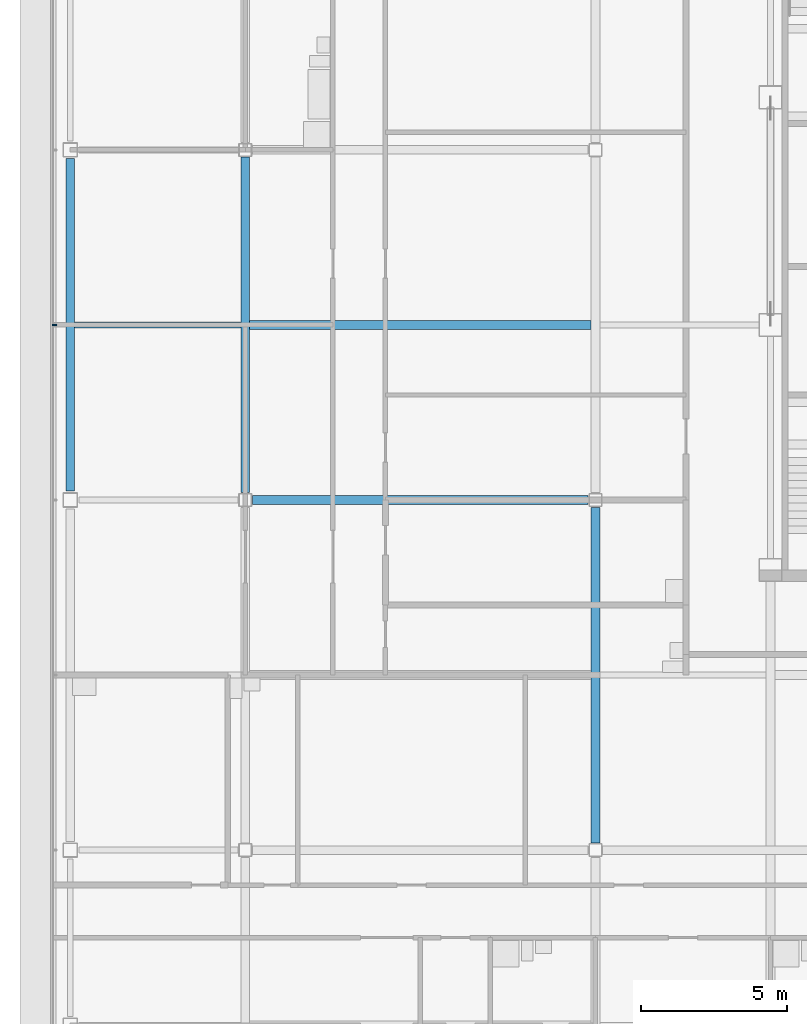
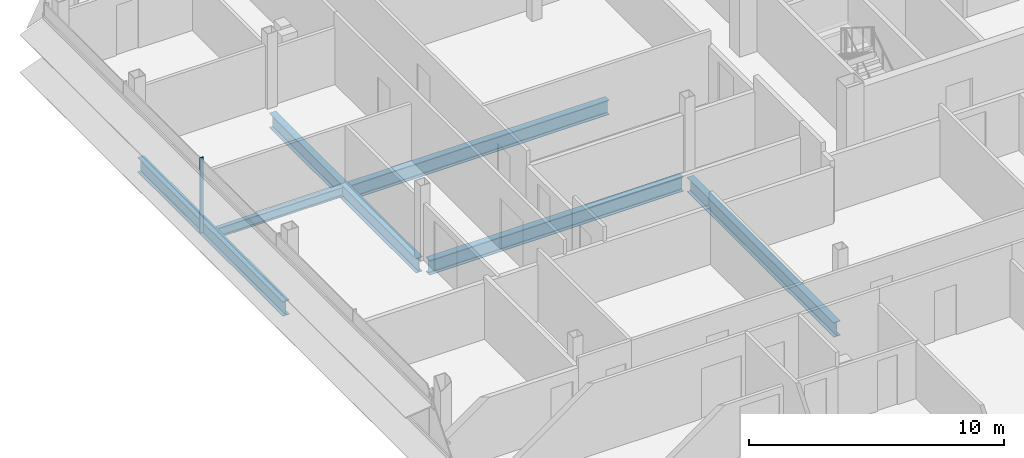
# One storey, part 8 of 28: 6 beams, 1 member, 1 element without a shape of its own.
"""IFC4 building model written with IfcOpenShell, lengths in metres."""

from ifc_helpers import new_model, si_unit, direction, frame, origin, origin_2d, place, context, subcontext, project, spatial, rectangle, i_section, extrude, material, material_profile, profile_set, type_object, element, aggregate, save


model = new_model("IFC4")

# Units and contexts
model_context = context("Model", 3, precision=1e-05, world=origin(), true_north=direction((0.0, 1.0)))
body_context = subcontext(model_context, "Body", "Model", "MODEL_VIEW")
ifc_project = project(units=[si_unit("LENGTHUNIT", "METRE"), si_unit("AREAUNIT", "SQUARE_METRE"), si_unit("VOLUMEUNIT", "CUBIC_METRE"), si_unit("PLANEANGLEUNIT", "RADIAN"), si_unit("MASSUNIT", "GRAM", prefix="KILO")], contexts=[model_context])

# Site, building, storey
site_placement = place(None, origin())
site = spatial("IfcSite", under=ifc_project, at=site_placement, CompositionType="ELEMENT")
building_placement = place(site_placement, origin())
building = spatial("IfcBuilding", under=site, at=building_placement, Name="Sorahane Residences", CompositionType="ELEMENT")
storey_placement = place(building_placement, frame((0.0, 0.0, 301.60009765625)))
storey = spatial("IfcBuildingStorey", under=building, at=storey_placement, Name="L71", CompositionType="ELEMENT", Elevation=301.60009765625)

# Curtain wall, member
ifc_material_1 = material(Name="Dark low-e glass and black anodised aluminium", Category="aluminium")
curtain_wall_type = type_object("IfcCurtainWallType", Name="Curtain wall CW-1 Typical unitised wall", PredefinedType="NOTDEFINED", material=ifc_material_1)
curtain_wall_placement = place(storey_placement, origin())
curtain_wall = element("IfcCurtainWall", 1, at=curtain_wall_placement, inside=storey, type_object=curtain_wall_type, Name="CW-1 curtain wall L71 W1", PredefinedType="NOTDEFINED")
ifc_material_2 = material(Name="Black anodised aluminium", Category="aluminium")
ifc_material_profile_1 = material_profile(ifc_material_2, rectangle(XDim=0.159912109375, YDim=0.050048828125, at=origin_2d()), Name="Curtain wall mullion CW-1 black anodised aluminium 50x160")
ifc_profile_set_1 = profile_set([ifc_material_profile_1], Name="Black anodised aluminium")
member_type = type_object("IfcMemberType", Name="Curtain wall mullion CW-1 black anodised aluminium 50x160", PredefinedType="MULLION", material=ifc_profile_set_1)
member_placement = place(storey_placement, frame((-18.5400390625, 30.0, -0.18017578125), z_axis=(0.0, 0.0, 1.0), x_axis=(-1.0, 0.0, 0.0)))
member = element("IfcMember", 2, at=member_placement, type_object=member_type, Name="CW-1 mullion L71 W1.3", PredefinedType="MULLION", context=body_context, shape_type="SweptSolid", body=[
    extrude(rectangle(XDim=0.159912109375, YDim=0.050048828125, at=origin_2d()), origin(), (0.0, 0.0, 1.0), 3.60009765625),
])
aggregate(curtain_wall, [member])

# Beams
ifc_material_3 = material(Name="Steel Q355B", Category="steel")
ifc_material_profile_2 = material_profile(ifc_material_3, i_section(OverallWidth=0.199951171875, OverallDepth=0.449951171875, WebThickness=0.009033203125, FlangeThickness=0.013916015625, FilletRadius=0.02001953125, at=origin_2d()), Name="HN 450x200x9x14")
ifc_profile_set_2 = profile_set([ifc_material_profile_2], Name="Steel Q355B")
beam_type_1 = type_object("IfcBeamType", Name="Steel floor beam HN 450x200x9x14 Q355B", PredefinedType="BEAM", material=ifc_profile_set_2)
beam_1_placement = place(storey_placement, frame((-17.85009765625, 30.0, -0.405029296875), z_axis=(1.0, 0.0, 0.0), x_axis=(0.0, 1.0, 0.0)))
element("IfcBeam", 3, at=beam_1_placement, inside=storey, type_object=beam_type_1, Name="Beam L71 083", PredefinedType="BEAM", context=body_context, shape_type="SweptSolid", body=[
    extrude(i_section(OverallWidth=0.199951171875, OverallDepth=0.449951171875, WebThickness=0.009033203125, FlangeThickness=0.013916015625, FilletRadius=0.02001953125, at=origin_2d()), origin(), (0.0, 0.0, 1.0), 5.7001953125),
])
ifc_material_4 = material(Name="Steel Q355B", Category="steel")
ifc_material_profile_3 = material_profile(ifc_material_4, i_section(OverallWidth=0.300048828125, OverallDepth=0.699951171875, WebThickness=0.012939453125, FlangeThickness=0.02392578125, FilletRadius=0.028076171875, at=origin_2d()), Name="HN 700x300x13x24")
ifc_profile_set_3 = profile_set([ifc_material_profile_3], Name="Steel Q355B")
beam_type_2 = type_object("IfcBeamType", Name="Steel floor beam HN 700x300x13x24 Q355B", PredefinedType="BEAM", material=ifc_profile_set_3)
beam_2_placement = place(storey_placement, frame((-11.75, 24.0, -0.530029296875), z_axis=(1.0, 0.0, 0.0), x_axis=(0.0, 1.0, 0.0)))
element("IfcBeam", 4, at=beam_2_placement, inside=storey, type_object=beam_type_2, Name="Beam L71 012", PredefinedType="BEAM", context=body_context, shape_type="SweptSolid", body=[
    extrude(i_section(OverallWidth=0.300048828125, OverallDepth=0.699951171875, WebThickness=0.012939453125, FlangeThickness=0.02392578125, FilletRadius=0.028076171875, at=origin_2d()), origin(), (0.0, 0.0, 1.0), 11.5),
])
beam_3_placement = place(storey_placement, frame((-18.0, 24.300048828125, -0.530029296875), z_axis=(0.0, 1.0, 0.0), x_axis=(-1.0, 0.0, 0.0)))
element("IfcBeam", 5, at=beam_3_placement, inside=storey, type_object=beam_type_2, Name="Beam L71 022", PredefinedType="BEAM", context=body_context, shape_type="SweptSolid", body=[
    extrude(i_section(OverallWidth=0.300048828125, OverallDepth=0.699951171875, WebThickness=0.012939453125, FlangeThickness=0.02392578125, FilletRadius=0.028076171875, at=origin_2d()), origin(), (0.0, 0.0, 1.0), 11.39990234375),
])
for number, where, z_axis, x_axis, name in (
    (6, (-12.0, 24.25, -0.530029296875), (0.0, 1.0, 0.0), (-1.0, 0.0, 0.0), "Beam L71 026"),
    (7, (0.0, 12.25, -0.530029296875), (0.0, 1.0, 0.0), (-1.0, 0.0, 0.0), "Beam L71 029"),
):
    element("IfcBeam", number, at=place(storey_placement, frame(where, z_axis=z_axis, x_axis=x_axis)), inside=storey, type_object=beam_type_2, Name=name, PredefinedType="BEAM", context=body_context, shape_type="SweptSolid", body=[
        extrude(i_section(OverallWidth=0.300048828125, OverallDepth=0.699951171875, WebThickness=0.012939453125, FlangeThickness=0.02392578125, FilletRadius=0.028076171875, at=origin_2d()), origin(), (0.0, 0.0, 1.0), 11.5),
    ])
beam_4_placement = place(storey_placement, frame((-11.85009765625, 30.0, -0.530029296875), z_axis=(1.0, 0.0, 0.0), x_axis=(0.0, 1.0, 0.0)))
element("IfcBeam", 8, at=beam_4_placement, inside=storey, type_object=beam_type_2, Name="Beam L71 084", PredefinedType="BEAM", context=body_context, shape_type="SweptSolid", body=[
    extrude(i_section(OverallWidth=0.300048828125, OverallDepth=0.699951171875, WebThickness=0.012939453125, FlangeThickness=0.02392578125, FilletRadius=0.028076171875, at=origin_2d()), origin(), (0.0, 0.0, 1.0), 11.7001953125),
])

save(model, "model.ifc")
